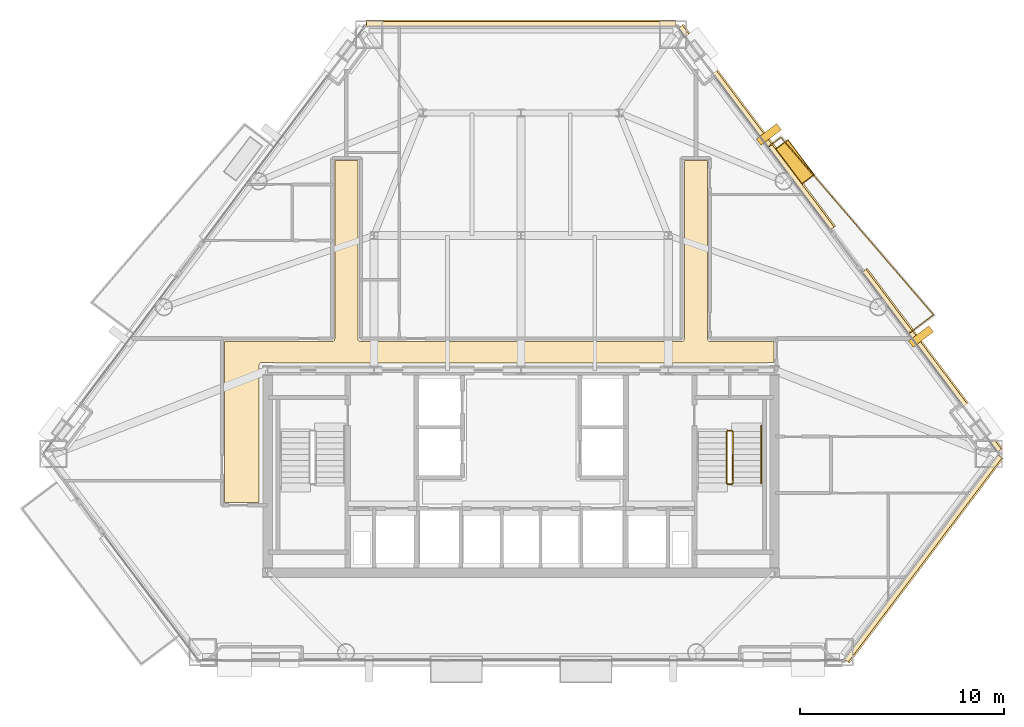
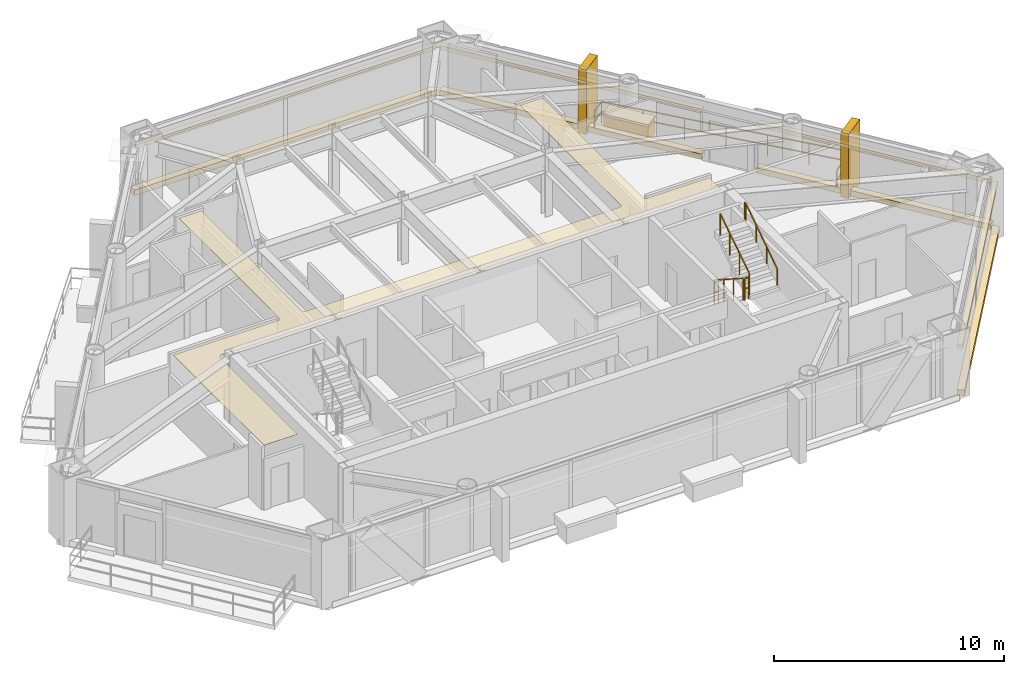
# One storey, part 14 of 14: 13 coverings, 6 railings.
"""IFC4 building model written with IfcOpenShell, lengths in metres."""

from ifc_helpers import new_model, si_unit, direction, frame, origin, origin_2d, place, context, subcontext, project, spatial, polyline, rectangle, outline, extrude, material, layer, layer_set, type_object, element, save


model = new_model("IFC4")

# Units and contexts
model_context = context("Model", 3, precision=1e-05, world=origin(), true_north=direction((0.0, 1.0)))
body_context = subcontext(model_context, "Body", "Model", "MODEL_VIEW")
ifc_project = project(units=[si_unit("LENGTHUNIT", "METRE"), si_unit("AREAUNIT", "SQUARE_METRE"), si_unit("VOLUMEUNIT", "CUBIC_METRE"), si_unit("PLANEANGLEUNIT", "RADIAN"), si_unit("MASSUNIT", "GRAM", prefix="KILO")], contexts=[model_context])

# Site, building, storey
site_placement = place(None, origin())
site = spatial("IfcSite", under=ifc_project, at=site_placement, CompositionType="ELEMENT")
building_placement = place(site_placement, origin())
building = spatial("IfcBuilding", under=site, at=building_placement, Name="Talgorran Terracotta Tower", CompositionType="ELEMENT")
storey_placement = place(building_placement, frame((0.0, 0.0, 53.10009765625)))
storey = spatial("IfcBuildingStorey", under=building, at=storey_placement, Name="L13", CompositionType="ELEMENT", Elevation=53.10009765625)

# Coverings
ifc_material_1 = material(Name="Kiln-Fired Terracotta Ochre Ceramic", Category="masonry")
ifc_layer_1 = layer(ifc_material_1, 0.179931640625, Name="COV_BAGUETTE_TERRACOTTA_SCREEN")
ifc_layer_set_1 = layer_set([ifc_layer_1], Name="Kiln-Fired Terracotta Ochre Ceramic")
covering_type_1 = type_object("IfcCoveringType", Name="COV_BAGUETTE_TERRACOTTA_SCREEN", PredefinedType="CLADDING", material=ifc_layer_set_1)
covering_1_placement = place(storey_placement, frame((19.662353515625, -13.39892578125, 2.41015625), z_axis=(0.0, 0.0, 1.0), x_axis=(0.601438608227, 0.79891902001, 0.0)))
element("IfcCovering", 1, at=covering_1_placement, inside=storey, type_object=covering_type_1, Name="L13 Terracotta Baguette Solar Screen Assembly F2", PredefinedType="CLADDING", context=body_context, shape_type="SweptSolid", body=[
    extrude(rectangle(XDim=12.5078125, YDim=0.260009765625, at=origin_2d()), origin(), (0.0, 0.0, 1.0), 0.219970703125),
])
covering_2_placement = place(storey_placement, frame((20.087158203125, -3.73828125, 2.41015625), z_axis=(0.0, 0.0, 1.0), x_axis=(-0.601438608227, 0.79891902001, 0.0)))
element("IfcCovering", 2, at=covering_2_placement, inside=storey, type_object=covering_type_1, Name="L13 Terracotta Baguette Solar Screen Assembly F40", PredefinedType="CLADDING", context=body_context, shape_type="SweptSolid", body=[
    extrude(rectangle(XDim=11.015625, YDim=0.260009765625, at=origin_2d()), origin(), (0.0, 0.0, 1.0), 0.219970703125),
])
covering_3_placement = place(storey_placement, frame((11.4970703125, 7.67236328125, 2.41015625), z_axis=(0.0, 0.0, 1.0), x_axis=(-0.601438608227, 0.79891902001, 0.0)))
element("IfcCovering", 3, at=covering_3_placement, inside=storey, type_object=covering_type_1, Name="L13 Terracotta Baguette Solar Screen Assembly F41", PredefinedType="CLADDING", context=body_context, shape_type="SweptSolid", body=[
    extrude(rectangle(XDim=12.349609375, YDim=0.260009765625, at=origin_2d()), origin(), (0.0, 0.0, 1.0), 0.219970703125),
])
covering_4_placement = place(storey_placement, frame((0.0, 12.7333984375, 2.41015625), z_axis=(0.0, 0.0, 1.0), x_axis=(-1.0, 0.0, 0.0)))
element("IfcCovering", 4, at=covering_4_placement, inside=storey, type_object=covering_type_1, Name="L13 Terracotta Baguette Solar Screen Assembly F4", PredefinedType="CLADDING", context=body_context, shape_type="SweptSolid", body=[
    extrude(rectangle(XDim=15.134521484375, YDim=0.260009765625, at=origin_2d()), origin(), (0.0, 0.0, 1.0), 0.219970703125),
])
ifc_material_2 = material(Name="Mineral Fibre Acoustic Tile")
ifc_layer_2 = layer(ifc_material_2, 0.02490234375, Name="COV_CEIL_ACOUSTIC")
ifc_layer_set_2 = layer_set([ifc_layer_2], Name="Mineral Fibre Acoustic Tile")
covering_type_2 = type_object("IfcCoveringType", Name="COV_CEIL_ACOUSTIC", PredefinedType="CEILING", material=ifc_layer_set_2)
covering_5_placement = place(storey_placement, frame((0.0, 0.0, 3.260009765625)))
element("IfcCovering", 5, at=covering_5_placement, inside=storey, type_object=covering_type_2, Name="CEIL-L13-2", PredefinedType="CEILING", context=body_context, shape_type="SweptSolid", body=[
    extrude(outline(polyline([(-12.78857421875, -3.87841796875), (-12.79541015625, -3.884521484375), (-12.803466796875, -3.893310546875), (-12.810302734375, -3.90283203125), (-12.81640625, -3.9130859375), (-12.820556640625, -3.920654296875), (-12.82568359375, -3.931396484375), (-12.82958984375, -3.9423828125), (-12.83251953125, -3.953857421875), (-12.833984375, -3.96533203125), (-12.834716796875, -3.97705078125), (-12.8349609375, -10.6650390625), (-14.514892578125, -10.6650390625), (-14.514892578125, -2.784912109375), (-9.25, -2.784912109375), (-9.23828125, -2.784423828125), (-9.226806640625, -2.78271484375), (-9.21533203125, -2.77978515625), (-9.20703125, -2.77734375), (-9.196044921875, -2.7734375), (-9.185302734375, -2.768310546875), (-9.17529296875, -2.762451171875), (-9.165771484375, -2.75537109375), (-9.156982421875, -2.74755859375), (-9.149169921875, -2.73876953125), (-9.1435546875, -2.73193359375), (-9.136474609375, -2.722412109375), (-9.13037109375, -2.71240234375), (-9.125244140625, -2.70166015625), (-9.121337890625, -2.690673828125), (-9.118408203125, -2.67919921875), (-9.11669921875, -2.66748046875), (-9.1162109375, -2.65576171875), (-9.114990234375, 6.06494140625), (-7.985107421875, 6.06494140625), (-7.985107421875, -2.64990234375), (-7.984375, -2.66162109375), (-7.982666015625, -2.67333984375), (-7.97998046875, -2.6845703125), (-7.977294921875, -2.69287109375), (-7.973388671875, -2.7041015625), (-7.968505859375, -2.714599609375), (-7.96240234375, -2.724853515625), (-7.955322265625, -2.734375), (-7.947509765625, -2.742919921875), (-7.938720703125, -2.7509765625), (-7.931884765625, -2.756591796875), (-7.922607421875, -2.763671875), (-7.912353515625, -2.769775390625), (-7.901611328125, -2.774658203125), (-7.890625, -2.77880859375), (-7.879150390625, -2.781494140625), (-7.867431640625, -2.783203125), (-7.855712890625, -2.783935546875), (7.85009765625, -2.784912109375), (7.86181640625, -2.784423828125), (7.873291015625, -2.78271484375), (7.884521484375, -2.77978515625), (7.892822265625, -2.77734375), (7.904052734375, -2.7734375), (7.914794921875, -2.768310546875), (7.9248046875, -2.762451171875), (7.934326171875, -2.75537109375), (7.943115234375, -2.74755859375), (7.950927734375, -2.73876953125), (7.95654296875, -2.73193359375), (7.963623046875, -2.722412109375), (7.9697265625, -2.71240234375), (7.974609375, -2.70166015625), (7.978759765625, -2.690673828125), (7.981689453125, -2.67919921875), (7.9833984375, -2.66748046875), (7.98388671875, -2.65576171875), (7.985107421875, 6.06494140625), (9.114990234375, 6.06494140625), (9.114990234375, -2.64990234375), (9.115478515625, -2.66162109375), (9.1171875, -2.67333984375), (9.1201171875, -2.6845703125), (9.12255859375, -2.69287109375), (9.12646484375, -2.7041015625), (9.131591796875, -2.714599609375), (9.1376953125, -2.724853515625), (9.14453125, -2.734375), (9.152587890625, -2.742919921875), (9.1611328125, -2.7509765625), (9.16796875, -2.756591796875), (9.177490234375, -2.763671875), (9.1875, -2.769775390625), (9.1982421875, -2.774658203125), (9.20947265625, -2.77880859375), (9.220703125, -2.781494140625), (9.232421875, -2.783203125), (9.244384765625, -2.783935546875), (12.364990234375, -2.784912109375), (12.364990234375, -3.80908203125), (12.1201171875, -3.80908203125), (12.108154296875, -3.8095703125), (12.0966796875, -3.811279296875), (12.085205078125, -3.814208984375), (12.07421875, -3.818115234375), (12.0634765625, -3.8232421875), (12.05322265625, -3.8291015625), (12.0439453125, -3.836181640625), (12.03515625, -3.843994140625), (12.034423828125, -3.844970703125), (7.432861328125, -3.844970703125), (6.968017578125, -3.843017578125), (6.967529296875, -3.843017578125), (0.232666015625, -3.844970703125), (-0.23193359375, -3.843017578125), (-0.232421875, -3.843017578125), (-6.96728515625, -3.844970703125), (-7.431884765625, -3.843017578125), (-7.4326171875, -3.843017578125), (-12.034423828125, -3.844970703125), (-12.03515625, -3.843994140625), (-12.0439453125, -3.836181640625), (-12.05322265625, -3.8291015625), (-12.0634765625, -3.8232421875), (-12.07421875, -3.818115234375), (-12.085205078125, -3.814208984375), (-12.0966796875, -3.811279296875), (-12.108154296875, -3.8095703125), (-12.1201171875, -3.80908203125), (-12.679931640625, -3.80908203125), (-12.69189453125, -3.8095703125), (-12.703369140625, -3.811279296875), (-12.71484375, -3.814208984375), (-12.725830078125, -3.818115234375), (-12.736572265625, -3.8232421875), (-12.74658203125, -3.8291015625), (-12.756103515625, -3.836181640625), (-12.764892578125, -3.843994140625), (-12.772705078125, -3.852783203125), (-12.77978515625, -3.8623046875), (-12.785888671875, -3.872314453125), (-12.78857421875, -3.87841796875)])), origin(), (0.0, 0.0, 1.0), 0.019775390625),
])
ifc_material_3 = material(Name="Honed Limestone and Terracotta Planter", Category="masonry")
ifc_layer_3 = layer(ifc_material_3, 0.1201171875, Name="COV_PLANTER_BOX")
ifc_layer_set_3 = layer_set([ifc_layer_3], Name="Honed Limestone and Terracotta Planter")
covering_type_3 = type_object("IfcCoveringType", Name="COV_PLANTER_BOX", PredefinedType="CLADDING", material=ifc_layer_set_3)
covering_6_placement = place(storey_placement, frame((13.40283203125, 6.00390625, -0.02001953125), z_axis=(0.0, 0.0, 1.0), x_axis=(-0.601438608227, 0.79891902001, 0.0)))
element("IfcCovering", 6, at=covering_6_placement, inside=storey, type_object=covering_type_3, Name="L13 Staggered Balcony Planter Box BAL-NE", PredefinedType="CLADDING", context=body_context, shape_type="SweptSolid", body=[
    extrude(rectangle(XDim=2.10009765625, YDim=0.719970703125, at=origin_2d()), origin(), (0.0, 0.0, 1.0), 0.860107421875),
])
ifc_material_4 = material(Name="Kiln-Fired Terracotta Planter Rim", Category="masonry")
ifc_layer_4 = layer(ifc_material_4, 0.10009765625, Name="COV_PLANTER_RIM")
ifc_layer_set_4 = layer_set([ifc_layer_4], Name="Kiln-Fired Terracotta Planter Rim")
covering_type_4 = type_object("IfcCoveringType", Name="COV_PLANTER_RIM", PredefinedType="CLADDING", material=ifc_layer_set_4)
covering_7_placement = place(storey_placement, frame((13.40283203125, 6.00390625, 0.7998046875), z_axis=(0.0, 0.0, 1.0), x_axis=(-0.601438608227, 0.79891902001, 0.0)))
element("IfcCovering", 7, at=covering_7_placement, inside=storey, type_object=covering_type_4, Name="L13 Balcony Planter Terracotta Rim BAL-NE", PredefinedType="CLADDING", context=body_context, shape_type="SweptSolid", body=[
    extrude(rectangle(XDim=2.179931640625, YDim=0.780029296875, at=origin_2d()), origin(), (0.0, 0.0, 1.0), 0.1201171875),
])
ifc_material_5 = material(Name="Honed Limestone Cladding", Category="masonry")
ifc_layer_5 = layer(ifc_material_5, 0.094970703125, Name="COV_PORTAL_LIME")
ifc_layer_set_5 = layer_set([ifc_layer_5], Name="Honed Limestone Cladding")
covering_type_5 = type_object("IfcCoveringType", Name="COV_PORTAL_LIME", PredefinedType="CLADDING", material=ifc_layer_set_5)
covering_8_placement = place(storey_placement, frame((19.5625, -2.54248046875, -0.050048828125), z_axis=(0.0, 0.0, 1.0), x_axis=(-0.601438608227, 0.79891902001, 0.0)))
element("IfcCovering", 8, at=covering_8_placement, inside=storey, type_object=covering_type_5, Name="L13 White Striped Portal Fin F3-1", PredefinedType="CLADDING", context=body_context, shape_type="SweptSolid", body=[
    extrude(rectangle(XDim=0.3798828125, YDim=1.25, at=origin_2d()), origin(), (0.0, 0.0, 1.0), 3.39990234375),
])
ifc_material_6 = material(Name="Kiln-Fired Terracotta Cladding", Category="masonry")
ifc_layer_6 = layer(ifc_material_6, 0.090087890625, Name="COV_PORTAL_TERRA")
ifc_layer_set_6 = layer_set([ifc_layer_6], Name="Kiln-Fired Terracotta Cladding")
covering_type_6 = type_object("IfcCoveringType", Name="COV_PORTAL_TERRA", PredefinedType="CLADDING", material=ifc_layer_set_6)
covering_9_placement = place(storey_placement, frame((19.6943359375, -13.423095703125, -0.0400390625), z_axis=(0.0, 0.0, 1.0), x_axis=(0.601438608227, 0.79891902001, 0.0)))
element("IfcCovering", 9, at=covering_9_placement, inside=storey, type_object=covering_type_6, Name="L13 Striped Postmodern Portal Cladding Band F2", PredefinedType="CLADDING", context=body_context, shape_type="SweptSolid", body=[
    extrude(rectangle(XDim=12.52783203125, YDim=0.340087890625, at=origin_2d()), origin(), (0.0, 0.0, 1.0), 0.300048828125),
])
covering_10_placement = place(storey_placement, frame((20.118896484375, -3.714111328125, -0.0400390625), z_axis=(0.0, 0.0, 1.0), x_axis=(-0.601438608227, 0.79891902001, 0.0)))
element("IfcCovering", 10, at=covering_10_placement, inside=storey, type_object=covering_type_6, Name="L13 Striped Postmodern Portal Cladding Band F40", PredefinedType="CLADDING", context=body_context, shape_type="SweptSolid", body=[
    extrude(rectangle(XDim=11.03564453125, YDim=0.340087890625, at=origin_2d()), origin(), (0.0, 0.0, 1.0), 0.300048828125),
])
covering_11_placement = place(storey_placement, frame((11.529052734375, 7.6962890625, -0.0400390625), z_axis=(0.0, 0.0, 1.0), x_axis=(-0.601438608227, 0.79891902001, 0.0)))
element("IfcCovering", 11, at=covering_11_placement, inside=storey, type_object=covering_type_6, Name="L13 Striped Postmodern Portal Cladding Band F41", PredefinedType="CLADDING", context=body_context, shape_type="SweptSolid", body=[
    extrude(rectangle(XDim=12.36962890625, YDim=0.340087890625, at=origin_2d()), origin(), (0.0, 0.0, 1.0), 0.300048828125),
])
covering_12_placement = place(storey_placement, frame((0.0, 12.773193359375, -0.0400390625), z_axis=(0.0, 0.0, 1.0), x_axis=(-1.0, 0.0, 0.0)))
element("IfcCovering", 12, at=covering_12_placement, inside=storey, type_object=covering_type_6, Name="L13 Striped Postmodern Portal Cladding Band F4", PredefinedType="CLADDING", context=body_context, shape_type="SweptSolid", body=[
    extrude(rectangle(XDim=15.154296875, YDim=0.340087890625, at=origin_2d()), origin(), (0.0, 0.0, 1.0), 0.300048828125),
])
covering_13_placement = place(storey_placement, frame((12.1181640625, 7.34619140625, -0.050048828125), z_axis=(0.0, 0.0, 1.0), x_axis=(-0.601438608227, 0.79891902001, 0.0)))
element("IfcCovering", 13, at=covering_13_placement, inside=storey, type_object=covering_type_6, Name="L13 Terracotta Striped Portal Fin F3-2", PredefinedType="CLADDING", context=body_context, shape_type="SweptSolid", body=[
    extrude(rectangle(XDim=0.3798828125, YDim=1.25, at=origin_2d()), origin(), (0.0, 0.0, 1.0), 3.39990234375),
])

# Railings
ifc_material_7 = material(Name="Laminated Glass and Stainless Steel 316", Category="steel")
railing_type_1 = type_object("IfcRailingType", Name="RL_BALCONY_1150", PredefinedType="BALUSTRADE", material=ifc_material_7)
railing_1_placement = place(storey_placement, frame((18.97314453125, -2.3916015625, 0.0)))
element("IfcRailing", 14, at=railing_1_placement, inside=storey, type_object=railing_type_1, Name="RL-L13-BAL-BAL-NE", PredefinedType="BALUSTRADE", context=body_context, shape_type="SweptSolid", body=[
    extrude(rectangle(XDim=0.048095703125, YDim=0.048095703125, at=origin_2d()), frame((0.0, 0.0, 1.1259765625), z_axis=(0.798989618193, 0.601344817903, 0.0), x_axis=(-0.601344817903, 0.798989618193, 0.0)), (0.0, 0.0, 1.0), 1.509521484375),
    extrude(rectangle(XDim=0.048095703125, YDim=0.048095703125, at=origin_2d()), frame((0.0, 0.0, 0.597900390625), z_axis=(0.798989618193, 0.601344817903, 0.0), x_axis=(-0.601344817903, 0.798989618193, 0.0)), (0.0, 0.0, 1.0), 1.509521484375),
    extrude(rectangle(XDim=0.048095703125, YDim=0.048095703125, at=origin_2d()), frame((1.2060546875, 0.90771484375, 1.1259765625), z_axis=(-0.651854686061, 0.758343898413, 0.0), x_axis=(-0.758343898413, -0.651854686061, 0.0)), (0.0, 0.0, 1.0), 11.45166015625),
    extrude(rectangle(XDim=0.048095703125, YDim=0.048095703125, at=origin_2d()), frame((1.2060546875, 0.90771484375, 0.597900390625), z_axis=(-0.651854686061, 0.758343898413, 0.0), x_axis=(-0.758343898413, -0.651854686061, 0.0)), (0.0, 0.0, 1.0), 11.45166015625),
    extrude(rectangle(XDim=0.048095703125, YDim=0.048095703125, at=origin_2d()), frame((-6.2587890625, 9.592041015625, 1.1259765625), z_axis=(-0.798816898576, -0.60157423694, 0.0), x_axis=(0.60157423694, -0.798816898576, 0.0)), (0.0, 0.0, 1.0), 0.7685546875),
    extrude(rectangle(XDim=0.048095703125, YDim=0.048095703125, at=origin_2d()), frame((-6.2587890625, 9.592041015625, 0.597900390625), z_axis=(-0.798816898576, -0.60157423694, 0.0), x_axis=(0.60157423694, -0.798816898576, 0.0)), (0.0, 0.0, 1.0), 0.7685546875),
    extrude(rectangle(XDim=0.0419921875, YDim=0.0419921875, at=origin_2d()), origin(), (0.0, 0.0, 1.0), 1.101806640625),
    extrude(rectangle(XDim=0.0419921875, YDim=0.0419921875, at=origin_2d()), frame((1.2060546875, 0.90771484375, 0.0)), (0.0, 0.0, 1.0), 1.101806640625),
    extrude(rectangle(XDim=0.0419921875, YDim=0.0419921875, at=origin_2d()), frame((-0.0380859375, 2.35498046875, 0.0)), (0.0, 0.0, 1.0), 1.101806640625),
    extrude(rectangle(XDim=0.0419921875, YDim=0.0419921875, at=origin_2d()), frame((-1.2822265625, 3.802490234375, 0.0)), (0.0, 0.0, 1.0), 1.101806640625),
    extrude(rectangle(XDim=0.0419921875, YDim=0.0419921875, at=origin_2d()), frame((-2.5263671875, 5.25, 0.0)), (0.0, 0.0, 1.0), 1.101806640625),
    extrude(rectangle(XDim=0.0419921875, YDim=0.0419921875, at=origin_2d()), frame((-3.7705078125, 6.697265625, 0.0)), (0.0, 0.0, 1.0), 1.101806640625),
    extrude(rectangle(XDim=0.0419921875, YDim=0.0419921875, at=origin_2d()), frame((-5.0146484375, 8.14453125, 0.0)), (0.0, 0.0, 1.0), 1.101806640625),
    extrude(rectangle(XDim=0.0419921875, YDim=0.0419921875, at=origin_2d()), frame((-6.2587890625, 9.592041015625, 0.0)), (0.0, 0.0, 1.0), 1.101806640625),
    extrude(rectangle(XDim=0.0419921875, YDim=0.0419921875, at=origin_2d()), frame((-6.872802734375, 9.129638671875, 0.0)), (0.0, 0.0, 1.0), 1.101806640625),
])
ifc_material_8 = material(Name="Steel S355 (300PLUS)", Category="steel")
railing_type_2 = type_object("IfcRailingType", Name="RL_HANDRAIL_920", PredefinedType="HANDRAIL", material=ifc_material_8)
railing_2_placement = place(storey_placement, frame((11.75, -9.719970703125, 1.97998046875)))
element("IfcRailing", 15, at=railing_2_placement, inside=storey, type_object=railing_type_2, Name="L13 ST-02 stair handrail 2", PredefinedType="HANDRAIL", context=body_context, shape_type="SweptSolid", body=[
    extrude(rectangle(XDim=0.048095703125, YDim=0.048095703125, at=origin_2d()), frame((0.0, 0.0, 0.89599609375), z_axis=(0.0, 0.832073444223, 0.554665469827), x_axis=(-1.0, 0.0, 0.0)), (0.0, 0.0, 1.0), 3.244873046875),
    extrude(rectangle(XDim=0.048095703125, YDim=0.048095703125, at=origin_2d()), frame((0.0, 2.699951171875, 2.69580078125), z_axis=(0.0, 1.0, 0.0), x_axis=(-1.0, 0.0, 0.0)), (0.0, 0.0, 1.0), 0.1201171875),
    extrude(rectangle(XDim=0.0419921875, YDim=0.0419921875, at=origin_2d()), origin(), (0.0, 0.0, 1.0), 0.871826171875),
    extrude(rectangle(XDim=0.0419921875, YDim=0.0419921875, at=origin_2d()), frame((0.0, 0.89990234375, 0.599853515625)), (0.0, 0.0, 1.0), 0.871826171875),
    extrude(rectangle(XDim=0.0419921875, YDim=0.0419921875, at=origin_2d()), frame((0.0, 1.800048828125, 1.199951171875)), (0.0, 0.0, 1.0), 0.871826171875),
    extrude(rectangle(XDim=0.0419921875, YDim=0.0419921875, at=origin_2d()), frame((0.0, 2.699951171875, 1.7998046875)), (0.0, 0.0, 1.0), 0.871826171875),
    extrude(rectangle(XDim=0.0419921875, YDim=0.0419921875, at=origin_2d()), frame((0.0, 2.820068359375, 1.7998046875)), (0.0, 0.0, 1.0), 0.871826171875),
])
railing_type_3 = type_object("IfcRailingType", Name="RL_STAIR_GUARD", PredefinedType="GUARDRAIL", material=ifc_material_8)
railing_3_placement = place(storey_placement, frame((10.050048828125, -7.199951171875, 0.179931640625)))
element("IfcRailing", 16, at=railing_3_placement, inside=storey, type_object=railing_type_3, Name="L13 ST-02 stair guard 1", PredefinedType="GUARDRAIL", context=body_context, shape_type="SweptSolid", body=[
    extrude(rectangle(XDim=0.048095703125, YDim=0.048095703125, at=origin_2d()), frame((0.0, 0.0, 1.15576171875), z_axis=(0.0, -0.841199657755, 0.540724639528), x_axis=(1.0, 0.0, 0.0)), (0.0, 0.0, 1.0), 2.995849609375),
    extrude(rectangle(XDim=0.0419921875, YDim=0.0419921875, at=origin_2d()), origin(), (0.0, 0.0, 1.0), 1.1318359375),
    extrude(rectangle(XDim=0.0419921875, YDim=0.0419921875, at=origin_2d()), frame((0.0, -0.840087890625, 0.5400390625)), (0.0, 0.0, 1.0), 1.1318359375),
    extrude(rectangle(XDim=0.0419921875, YDim=0.0419921875, at=origin_2d()), frame((0.0, -1.679931640625, 1.079833984375)), (0.0, 0.0, 1.0), 1.1318359375),
    extrude(rectangle(XDim=0.0419921875, YDim=0.0419921875, at=origin_2d()), frame((0.0, -2.52001953125, 1.619873046875)), (0.0, 0.0, 1.0), 1.1318359375),
])
railing_4_placement = place(storey_placement, frame((10.10009765625, -9.77001953125, 1.7998046875)))
element("IfcRailing", 17, at=railing_4_placement, inside=storey, type_object=railing_type_3, Name="L13 ST-02 stair guard 2", PredefinedType="GUARDRAIL", context=body_context, shape_type="SweptSolid", body=[
    extrude(rectangle(XDim=0.048095703125, YDim=0.048095703125, at=origin_2d()), frame((0.0, 0.0, 1.15576171875), z_axis=(1.0, 0.0, 0.0), x_axis=(0.0, 1.0, 0.0)), (0.0, 0.0, 1.0), 0.199951171875),
    extrude(rectangle(XDim=0.048095703125, YDim=0.048095703125, at=origin_2d()), frame((0.0, 0.0, 0.613525390625), z_axis=(1.0, 0.0, 0.0), x_axis=(0.0, 1.0, 0.0)), (0.0, 0.0, 1.0), 0.199951171875),
    extrude(rectangle(XDim=0.0419921875, YDim=0.0419921875, at=origin_2d()), origin(), (0.0, 0.0, 1.0), 1.1318359375),
    extrude(rectangle(XDim=0.0419921875, YDim=0.0419921875, at=origin_2d()), frame((0.199951171875, 0.0, 0.0)), (0.0, 0.0, 1.0), 1.1318359375),
])
railing_5_placement = place(storey_placement, frame((10.35009765625, -9.719970703125, 1.97998046875)))
element("IfcRailing", 18, at=railing_5_placement, inside=storey, type_object=railing_type_3, Name="L13 ST-02 stair guard 3", PredefinedType="GUARDRAIL", context=body_context, shape_type="SweptSolid", body=[
    extrude(rectangle(XDim=0.048095703125, YDim=0.048095703125, at=origin_2d()), frame((0.0, 0.0, 1.15576171875), z_axis=(0.0, 0.841199657755, 0.540724639528), x_axis=(-1.0, 0.0, 0.0)), (0.0, 0.0, 1.0), 2.995849609375),
    extrude(rectangle(XDim=0.0419921875, YDim=0.0419921875, at=origin_2d()), origin(), (0.0, 0.0, 1.0), 1.1318359375),
    extrude(rectangle(XDim=0.0419921875, YDim=0.0419921875, at=origin_2d()), frame((0.0, 0.840087890625, 0.5400390625)), (0.0, 0.0, 1.0), 1.1318359375),
    extrude(rectangle(XDim=0.0419921875, YDim=0.0419921875, at=origin_2d()), frame((0.0, 1.679931640625, 1.079833984375)), (0.0, 0.0, 1.0), 1.1318359375),
    extrude(rectangle(XDim=0.0419921875, YDim=0.0419921875, at=origin_2d()), frame((0.0, 2.52001953125, 1.619873046875)), (0.0, 0.0, 1.0), 1.1318359375),
])
railing_6_placement = place(storey_placement, frame((10.10009765625, -7.14990234375, 0.0)))
element("IfcRailing", 19, at=railing_6_placement, inside=storey, type_object=railing_type_3, Name="L13 ST-02 stair guard 4", PredefinedType="GUARDRAIL", context=body_context, shape_type="SweptSolid", body=[
    extrude(rectangle(XDim=0.048095703125, YDim=0.048095703125, at=origin_2d()), frame((0.0, 0.0, 1.15576171875), z_axis=(1.0, 0.0, 0.0), x_axis=(0.0, 1.0, 0.0)), (0.0, 0.0, 1.0), 0.199951171875),
    extrude(rectangle(XDim=0.048095703125, YDim=0.048095703125, at=origin_2d()), frame((0.0, 0.0, 0.613525390625), z_axis=(1.0, 0.0, 0.0), x_axis=(0.0, 1.0, 0.0)), (0.0, 0.0, 1.0), 0.199951171875),
    extrude(rectangle(XDim=0.0419921875, YDim=0.0419921875, at=origin_2d()), origin(), (0.0, 0.0, 1.0), 1.1318359375),
    extrude(rectangle(XDim=0.0419921875, YDim=0.0419921875, at=origin_2d()), frame((0.199951171875, 0.0, 0.0)), (0.0, 0.0, 1.0), 1.1318359375),
])

save(model, "model.ifc")
